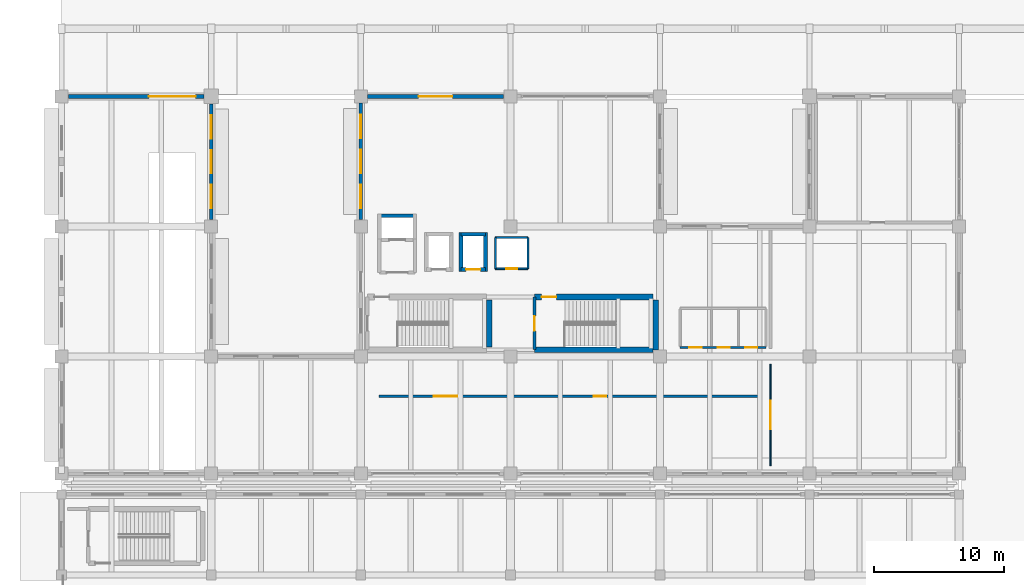
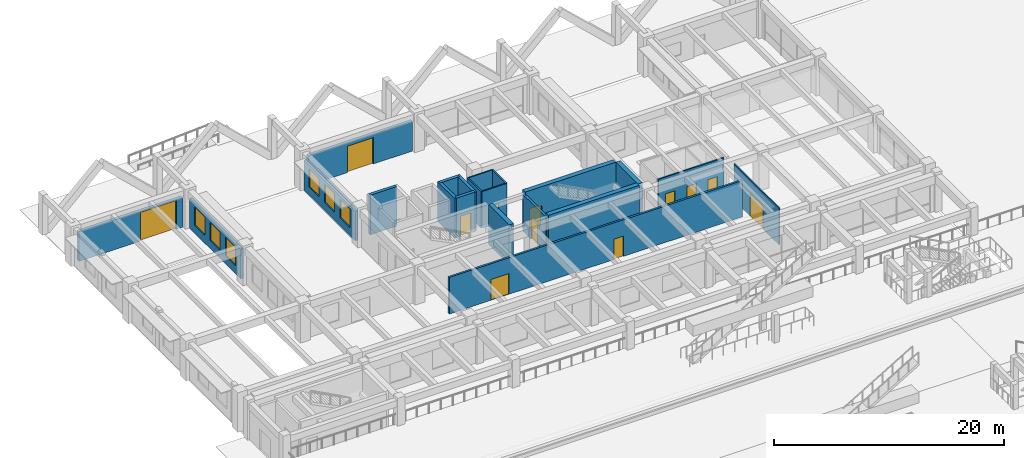
# One storey, part 83 of 109: 21 walls, 12 doors, 6 windows, 18 openings.
"""IFC4 building model written with IfcOpenShell, lengths in metres."""

import ifcopenshell
import ifcopenshell.guid

model = None  # the IFC model being written
_history = None  # IfcOwnerHistory: only IFC2X3 demands one
_inside = {}  # id of a spatial element -> (the spatial element, [elements in it])
_under = {}  # id of a project, library or spatial element -> (it, [spatial elements below it])
_declared = {}  # id of a project -> (the project, [libraries it declares])
_typed = {}  # id of a type object -> (the type object, [elements of that type])
_made_of = {}  # id of a material, layer set ... -> (it, [elements and type objects made of it])


def new_model(schema):
    """Start an empty IFC model of exactly this schema.

    Asked for "IFC4X3", IfcOpenShell would pick the latest addendum, in which some entities
    have other attributes; the version numbers below select the first issue.
    IFC2X3 requires an IfcOwnerHistory on every rooted entity: one is made here for all.
    """
    global model, _history
    if schema == "IFC4X3":
        model = ifcopenshell.file(schema_version=(4, 3, 0, 0))
    else:
        model = ifcopenshell.file(schema=schema)
    _inside.clear()
    _under.clear()
    _declared.clear()
    _typed.clear()
    _made_of.clear()
    _history = None
    if model.schema == "IFC2X3":
        org = make("IfcOrganization", Name="unknown")
        user = make(
            "IfcPersonAndOrganization",
            ThePerson=make("IfcPerson", FamilyName="unknown"),
            TheOrganization=org,
        )
        app = make(
            "IfcApplication",
            ApplicationDeveloper=org,
            Version="unknown",
            ApplicationFullName="unknown",
            ApplicationIdentifier="unknown",
        )
        _history = make(
            "IfcOwnerHistory",
            OwningUser=user,
            OwningApplication=app,
            ChangeAction="ADDED",
            CreationDate=0,
        )
    return model


def make(cls, **values):
    """One entity of the class cls with the attributes given. An attribute that is None is left unset."""
    return model.create_entity(
        cls, **{name: value for name, value in values.items() if value is not None}
    )


def rooted(cls, **values):
    """An entity with a GlobalId (a new one), such as an element, a storey or a relation."""
    return make(cls, GlobalId=ifcopenshell.guid.new(), OwnerHistory=_history, **values)


def si_unit(unit_type, name, prefix=None):
    """IfcSIUnit, for example si_unit("LENGTHUNIT", "METRE", prefix="MILLI")."""
    return make("IfcSIUnit", UnitType=unit_type, Prefix=prefix, Name=name)


def assignment(units):
    """IfcUnitAssignment: the units of a project."""
    return None if units is None else make("IfcUnitAssignment", Units=units)


def point(xyz):
    """IfcCartesianPoint."""
    return None if xyz is None else make("IfcCartesianPoint", Coordinates=xyz)


def direction(xyz):
    """IfcDirection."""
    return None if xyz is None else make("IfcDirection", DirectionRatios=xyz)


def frame(location, z_axis=None, x_axis=None):
    """IfcAxis2Placement3D, a coordinate frame: its origin and axes. An axis left out is left unset."""
    return make(
        "IfcAxis2Placement3D",
        Location=point(location),
        Axis=direction(z_axis),
        RefDirection=direction(x_axis),
    )


def frame_2d(location, x_axis=None):
    """IfcAxis2Placement2D, a coordinate frame in the plane: its origin and x axis."""
    return make(
        "IfcAxis2Placement2D", Location=point(location), RefDirection=direction(x_axis)
    )


def origin():
    """The frame at (0, 0, 0) with its axes left unset."""
    return frame((0.0, 0.0, 0.0))


def place(relative_to, where):
    """IfcLocalPlacement: puts the frame where relative to a parent placement (None: the world)."""
    return make(
        "IfcLocalPlacement", PlacementRelTo=relative_to, RelativePlacement=where
    )


def context(
    kind, dimensions, precision=None, world=None, true_north=None, identifier=None
):
    """IfcGeometricRepresentationContext, for example the 3D "Model" context."""
    return make(
        "IfcGeometricRepresentationContext",
        ContextIdentifier=identifier,
        ContextType=kind,
        CoordinateSpaceDimension=dimensions,
        Precision=precision,
        WorldCoordinateSystem=world,
        TrueNorth=true_north,
    )


def subcontext(parent, identifier, kind, view, scale=None):
    """IfcGeometricRepresentationSubContext, for example "Body" below "Model"."""
    return make(
        "IfcGeometricRepresentationSubContext",
        ContextIdentifier=identifier,
        ContextType=kind,
        ParentContext=parent,
        TargetScale=scale,
        TargetView=view,
    )


def project(units=None, contexts=None):
    """IfcProject with its units and contexts."""
    return rooted(
        "IfcProject",
        Name="project",
        RepresentationContexts=contexts,
        UnitsInContext=assignment(units),
    )


def spatial(cls, under=None, at=None, **own):
    """A site, building, storey or space (cls), placed at a placement, below another one or the project."""
    s = rooted(cls, ObjectPlacement=at, **own)
    if under is not None:
        _under.setdefault(under.id(), (under, []))[1].append(s)
    return s


def profile(cls, at=None, kind="AREA", **sizes):
    """A parametric profile (cls). Its sizes go by their IFC names, for example OverallWidth=200.0."""
    return make(cls, ProfileType=kind, Position=at, **sizes)


def rectangle(**sizes):
    """IfcRectangleProfileDef."""
    return profile("IfcRectangleProfileDef", **sizes)


def extrude(swept, where, along, depth):
    """IfcExtrudedAreaSolid: the profile swept, set in the frame where, extruded along a direction by depth."""
    return make(
        "IfcExtrudedAreaSolid",
        SweptArea=swept,
        Position=where,
        ExtrudedDirection=direction(along),
        Depth=depth,
    )


def shape(context_of_items, identifier, shape_type, items):
    """IfcShapeRepresentation: the items that make up one representation, for example the "Body"."""
    return make(
        "IfcShapeRepresentation",
        ContextOfItems=context_of_items,
        RepresentationIdentifier=identifier,
        RepresentationType=shape_type,
        Items=items,
    )


def material(Name=None, Category=None):
    """IfcMaterial."""
    return make("IfcMaterial", Name=Name, Category=Category)


def layer(
    of_material, thickness, ventilated=None, Name=None, Category=None, Priority=None
):
    """IfcMaterialLayer: one layer of a wall or slab, of a material (None: an air gap)."""
    return make(
        "IfcMaterialLayer",
        Material=of_material,
        LayerThickness=thickness,
        IsVentilated=ventilated,
        Name=Name,
        Category=Category,
        Priority=Priority,
    )


def layer_set(layers, Name=None):
    """IfcMaterialLayerSet."""
    return make("IfcMaterialLayerSet", MaterialLayers=layers, LayerSetName=Name)


def made_of(thing, what):
    """Note that an element or type object is made of a material, layer set ...; save() writes the relation."""
    if what is not None:
        _made_of.setdefault(what.id(), (what, []))[1].append(thing)
    return thing


def type_object(cls, material=None, **own):
    """A type object (cls), such as IfcWallType, which elements share."""
    return made_of(rooted(cls, **own), material)


def element(
    cls,
    number,
    at=None,
    inside=None,
    cuts=None,
    type_object=None,
    material=None,
    context=None,
    identifier="Body",
    shape_type=None,
    held_by="IfcProductDefinitionShape",
    body=None,
    shapes=None,
    **own,
):
    """One element of the class cls, such as IfcWall. Its Tag is "e" and its number.

    at: its placement. inside: the storey or other place that contains it. cuts: it is an
    opening in that element (IfcRelVoidsElement). A single representation is given by context,
    identifier, shape_type and body (its items); several are given by shapes. held_by: the class
    of the entity that holds the representations. save() writes the other relations.
    """
    e = rooted(cls, Tag="e%d" % number, ObjectPlacement=at, **own)
    if body is not None:
        shapes = [shape(context, identifier, shape_type, body)]
    if shapes is not None:
        e.Representation = make(held_by, Representations=shapes)
    if inside is not None:
        _inside.setdefault(inside.id(), (inside, []))[1].append(e)
    if cuts is not None:
        rooted(
            "IfcRelVoidsElement", RelatingBuildingElement=cuts, RelatedOpeningElement=e
        )
    if type_object is not None:
        _typed.setdefault(type_object.id(), (type_object, []))[1].append(e)
    return made_of(e, material)


def fill(opening, filler):
    """IfcRelFillsElement: the door or window that sits in an opening."""
    return rooted(
        "IfcRelFillsElement",
        RelatingOpeningElement=opening,
        RelatedBuildingElement=filler,
    )


def aggregate(whole, parts):
    """IfcRelAggregates: a whole, such as a stair, and the parts it consists of."""
    return rooted("IfcRelAggregates", RelatingObject=whole, RelatedObjects=parts)


def save(model, path):
    """Write the relations noted so far, then the file.

    IfcRelAggregates (storeys below a building ...), IfcRelContainedInSpatialStructure (elements
    in a storey), IfcRelDefinesByType, IfcRelAssociatesMaterial and IfcRelDeclares: one each for
    every whole, place, type object, material and project.
    """
    for whole, parts in _under.values():
        aggregate(whole, parts)
    for where, things in _inside.values():
        rooted(
            "IfcRelContainedInSpatialStructure",
            RelatedElements=things,
            RelatingStructure=where,
        )
    for kind, things in _typed.values():
        rooted("IfcRelDefinesByType", RelatedObjects=things, RelatingType=kind)
    for what, things in _made_of.values():
        rooted("IfcRelAssociatesMaterial", RelatedObjects=things, RelatingMaterial=what)
    for by, libraries in _declared.values():
        rooted("IfcRelDeclares", RelatingContext=by, RelatedDefinitions=libraries)
    model.write(path)


model = new_model("IFC4")

# Units and contexts
model_context = context("Model", 3, precision=1e-05, world=origin(), true_north=direction((0.0, 1.0)))
body_context = subcontext(model_context, "Body", "Model", "MODEL_VIEW")
ifc_project = project(units=[si_unit("LENGTHUNIT", "METRE"), si_unit("AREAUNIT", "SQUARE_METRE"), si_unit("VOLUMEUNIT", "CUBIC_METRE"), si_unit("PLANEANGLEUNIT", "RADIAN"), si_unit("MASSUNIT", "GRAM", prefix="KILO")], contexts=[model_context])

# Site, building, storey
site_placement = place(None, origin())
site = spatial("IfcSite", under=ifc_project, at=site_placement, CompositionType="ELEMENT")
building_placement = place(site_placement, origin())
building = spatial("IfcBuilding", under=site, at=building_placement, Name="Ologun Quay Terminus", CompositionType="ELEMENT")
storey_placement = place(building_placement, origin())
storey = spatial("IfcBuildingStorey", under=building, at=storey_placement, Name="L00", CompositionType="ELEMENT", Elevation=0.0)

# Wall, openings, doors
ifc_material_1 = material(Name="Concrete C40/50", Category="concrete")
ifc_layer_1 = layer(ifc_material_1, 0.199951171875)
ifc_layer_set_1 = layer_set([ifc_layer_1], Name="Concrete C40/50")
wall_type_1 = type_object("IfcWallType", Name="Corridor Fire-Rated Partition 200", PredefinedType="PARTITIONING", material=ifc_layer_set_1)
wall_1_placement = place(storey_placement, frame((24.39990234375, 91.75, 0.0), z_axis=(0.0, 0.0, 1.0), x_axis=(1.0, 0.0, 0.0)))
wall_1 = element("IfcWall", 1, at=wall_1_placement, inside=storey, type_object=wall_type_1, Name="PW-02 Partition WCor-S", PredefinedType="PARTITIONING", context=body_context, shape_type="SweptSolid", body=[
    extrude(rectangle(XDim=29.400146484375, YDim=0.199951171875, at=frame_2d((14.7001953125, 0.0))), origin(), (0.0, 0.0, 1.0), 3.8798828125),
])
opening_1_placement = place(wall_1_placement, frame((4.199951171875, 0.0, 0.0)))
opening_1 = element("IfcOpeningElement", 2, at=opening_1_placement, cuts=wall_1, Name="Opening ID-097", PredefinedType="OPENING", context=body_context, shape_type="SweptSolid", body=[
    extrude(rectangle(XDim=1.800048828125, YDim=2.199951171875, at=frame_2d((0.89990234375, 1.10009765625))), frame((0.0, 0.10986328125, 0.0), z_axis=(0.0, -1.0, 0.0), x_axis=(1.0, 0.0, 0.0)), (0.0, 0.0, 1.0), 0.219970703125),
])
opening_2_placement = place(wall_1_placement, frame((16.5, 0.0, 0.0)))
opening_2 = element("IfcOpeningElement", 3, at=opening_2_placement, cuts=wall_1, Name="Opening ID-098", PredefinedType="OPENING", context=body_context, shape_type="SweptSolid", body=[
    extrude(rectangle(XDim=0.97998046875, YDim=2.14990234375, at=frame_2d((0.489990234375, 1.074951171875))), frame((0.0, 0.10986328125, 0.0), z_axis=(0.0, -1.0, 0.0), x_axis=(1.0, 0.0, 0.0)), (0.0, 0.0, 1.0), 0.219970703125),
])
ifc_material_2 = material(Name="Steel S355", Category="steel")
door_type_1 = type_object("IfcDoorType", Name="Corridor Compartment Pair 1800x2200", OperationType="DOUBLE_DOOR_SINGLE_SWING", PredefinedType="DOOR", material=ifc_material_2)
door_1_placement = place(opening_1_placement, origin())
door_1 = element("IfcDoor", 4, at=door_1_placement, inside=storey, type_object=door_type_1, Name="FD-03 Door ID-097", OperationType="DOUBLE_DOOR_SINGLE_SWING", OverallHeight=2.199951171875, OverallWidth=1.800048828125, PredefinedType="DOOR", context=body_context, shape_type="SweptSolid", body=[
    extrude(rectangle(XDim=1.800048828125, YDim=2.199951171875, at=frame_2d((0.89990234375, 1.10009765625))), frame((0.0, 0.02490234375, 0.0), z_axis=(0.0, -1.0, 0.0), x_axis=(1.0, 0.0, 0.0)), (0.0, 0.0, 1.0), 0.050048828125),
])
fill(opening_1, door_1)
ifc_material_3 = material(Name="Timber Hardwood", Category="wood")
door_type_2 = type_object("IfcDoorType", Name="Operations Room Acoustic Leaf 980x2150", OperationType="SINGLE_SWING_LEFT", PredefinedType="DOOR", material=ifc_material_3)
door_2_placement = place(opening_2_placement, origin())
door_2 = element("IfcDoor", 5, at=door_2_placement, inside=storey, type_object=door_type_2, Name="ID-01 Door ID-098", OperationType="SINGLE_SWING_LEFT", OverallHeight=2.14990234375, OverallWidth=0.97998046875, PredefinedType="DOOR", context=body_context, shape_type="SweptSolid", body=[
    extrude(rectangle(XDim=0.97998046875, YDim=2.14990234375, at=frame_2d((0.489990234375, 1.074951171875))), frame((0.0, 0.02490234375, 0.0), z_axis=(0.0, -1.0, 0.0), x_axis=(1.0, 0.0, 0.0)), (0.0, 0.0, 1.0), 0.050048828125),
])
fill(opening_2, door_2)

# Walls
ifc_material_4 = material(Name="Concrete C45/55", Category="concrete")
ifc_layer_2 = layer(ifc_material_4, 0.449951171875)
ifc_layer_set_2 = layer_set([ifc_layer_2], Name="Concrete C45/55")
wall_type_2 = type_object("IfcWallType", Name="Coupled Wing Primary Core Shear Wall 450", PredefinedType="SHEAR", material=ifc_layer_set_2)
wall_2_placement = place(storey_placement, frame((32.875, 95.550048828125, 0.0), z_axis=(0.0, 0.0, 1.0), x_axis=(0.0, 1.0, 0.0)))
element("IfcWall", 6, at=wall_2_placement, inside=storey, type_object=wall_type_2, Name="WC1 Core East Shear Wall L00", PredefinedType="SHEAR", context=body_context, shape_type="SweptSolid", body=[
    extrude(rectangle(XDim=3.599853515625, YDim=0.449951171875, at=frame_2d((1.7998046875, 0.0))), origin(), (0.0, 0.0, 1.0), 4.199951171875),
])
wall_3_placement = place(storey_placement, frame((36.35009765625, 95.324951171875, 0.0), z_axis=(0.0, 0.0, 1.0), x_axis=(1.0, 0.0, 0.0)))
element("IfcWall", 7, at=wall_3_placement, inside=storey, type_object=wall_type_2, Name="WC2 Core South Shear Wall L00", PredefinedType="SHEAR", context=body_context, shape_type="SweptSolid", body=[
    extrude(rectangle(XDim=9.099853515625, YDim=0.449951171875, at=frame_2d((4.5498046875, 0.0))), origin(), (0.0, 0.0, 1.0), 4.199951171875),
])

# Wall, opening, door
wall_4_placement = place(storey_placement, frame((36.35009765625, 99.375, 0.0), z_axis=(0.0, 0.0, 1.0), x_axis=(1.0, 0.0, 0.0)))
wall_4 = element("IfcWall", 8, at=wall_4_placement, inside=storey, type_object=wall_type_2, Name="WC2 Core North Shear Wall L00", PredefinedType="SHEAR", context=body_context, shape_type="SweptSolid", body=[
    extrude(rectangle(XDim=9.099853515625, YDim=0.449951171875, at=frame_2d((4.5498046875, 0.0))), origin(), (0.0, 0.0, 1.0), 4.199951171875),
])
opening_3_placement = place(wall_4_placement, frame((0.550048828125, 0.0, 0.0)))
opening_3 = element("IfcOpeningElement", 9, at=opening_3_placement, cuts=wall_4, Name="Opening ID-091", PredefinedType="OPENING", context=body_context, shape_type="SweptSolid", body=[
    extrude(rectangle(XDim=1.1298828125, YDim=2.14990234375, at=frame_2d((0.56494140625, 1.074951171875))), frame((0.0, 0.23486328125, 0.0), z_axis=(0.0, -1.0, 0.0), x_axis=(1.0, 0.0, 0.0)), (0.0, 0.0, 1.0), 0.469970703125),
])
ifc_material_5 = material(Name="Steel S355", Category="steel")
door_type_3 = type_object("IfcDoorType", Name="Stairwell Fire Escape Door 1130x2150", OperationType="SINGLE_SWING_LEFT", PredefinedType="DOOR", material=ifc_material_5)
door_3_placement = place(opening_3_placement, origin())
door_3 = element("IfcDoor", 10, at=door_3_placement, inside=storey, type_object=door_type_3, Name="FD-01 Door ID-091", OperationType="SINGLE_SWING_LEFT", OverallHeight=2.14990234375, OverallWidth=1.1298828125, PredefinedType="DOOR", context=body_context, shape_type="SweptSolid", body=[
    extrude(rectangle(XDim=1.1298828125, YDim=2.14990234375, at=frame_2d((0.56494140625, 1.074951171875))), frame((0.0, 0.02490234375, 0.0), z_axis=(0.0, -1.0, 0.0), x_axis=(1.0, 0.0, 0.0)), (0.0, 0.0, 1.0), 0.050048828125),
])
fill(opening_3, door_3)

# Wall
wall_5_placement = place(storey_placement, frame((45.675048828125, 95.320068359375, 0.0), z_axis=(0.0, 0.0, 1.0), x_axis=(0.0, 1.0, 0.0)))
element("IfcWall", 11, at=wall_5_placement, inside=storey, type_object=wall_type_2, Name="WC2 Core East Shear Wall L00", PredefinedType="SHEAR", context=body_context, shape_type="SweptSolid", body=[
    extrude(rectangle(XDim=3.829833984375, YDim=0.449951171875, at=frame_2d((1.9150390625, 0.0))), origin(), (0.0, 0.0, 1.0), 4.199951171875),
])

# Wall, openings, windows
ifc_material_6 = material(Name="Concrete C40/50", Category="concrete")
ifc_layer_3 = layer(ifc_material_6, 0.280029296875)
ifc_layer_set_3 = layer_set([ifc_layer_3], Name="Concrete C40/50")
wall_type_3 = type_object("IfcWallType", Name="Courtyard Wing Spandrel Concrete Wall 280", PredefinedType="SOLIDWALL", material=ifc_layer_set_3)
wall_6_placement = place(storey_placement, frame((23.0, 105.320068359375, 0.0), z_axis=(0.0, 0.0, 1.0), x_axis=(0.0, 1.0, 0.0)))
wall_6 = element("IfcWall", 12, at=wall_6_placement, inside=storey, type_object=wall_type_3, Name="EW-02 Facade Wall WEW-WW-O-L00-17", PredefinedType="SOLIDWALL", context=body_context, shape_type="SweptSolid", body=[
    extrude(rectangle(XDim=8.9599609375, YDim=0.280029296875, at=frame_2d((4.47998046875, 0.0))), origin(), (0.0, 0.0, 1.0), 3.14990234375),
])
opening_4_placement = place(wall_6_placement, frame((0.889892578125, 0.0, 0.85009765625)))
opening_4 = element("IfcOpeningElement", 13, at=opening_4_placement, cuts=wall_6, Name="Opening WN-175", PredefinedType="OPENING", context=body_context, shape_type="SweptSolid", body=[
    extrude(rectangle(XDim=1.800048828125, YDim=1.949951171875, at=frame_2d((0.89990234375, 0.97509765625))), frame((0.0, 0.14990234375, 0.0), z_axis=(0.0, -1.0, 0.0), x_axis=(1.0, 0.0, 0.0)), (0.0, 0.0, 1.0), 0.300048828125),
])
opening_5_placement = place(wall_6_placement, frame((3.580078125, 0.0, 0.85009765625)))
opening_5 = element("IfcOpeningElement", 14, at=opening_5_placement, cuts=wall_6, Name="Opening WN-176", PredefinedType="OPENING", context=body_context, shape_type="SweptSolid", body=[
    extrude(rectangle(XDim=1.800048828125, YDim=1.949951171875, at=frame_2d((0.89990234375, 0.97509765625))), frame((0.0, 0.14990234375, 0.0), z_axis=(0.0, -1.0, 0.0), x_axis=(1.0, 0.0, 0.0)), (0.0, 0.0, 1.0), 0.300048828125),
])
opening_6_placement = place(wall_6_placement, frame((6.27001953125, 0.0, 0.85009765625)))
opening_6 = element("IfcOpeningElement", 15, at=opening_6_placement, cuts=wall_6, Name="Opening WN-177", PredefinedType="OPENING", context=body_context, shape_type="SweptSolid", body=[
    extrude(rectangle(XDim=1.800048828125, YDim=1.949951171875, at=frame_2d((0.89990234375, 0.97509765625))), frame((0.0, 0.14990234375, 0.0), z_axis=(0.0, -1.0, 0.0), x_axis=(1.0, 0.0, 0.0)), (0.0, 0.0, 1.0), 0.300048828125),
])
ifc_material_7 = material(Name="Glass", Category="glass")
window_type = type_object("IfcWindowType", Name="Waterfront Pavilion Module Window 1800x1950", PartitioningType="SINGLE_PANEL", PredefinedType="WINDOW", material=ifc_material_7)
window_1_placement = place(opening_4_placement, origin())
window_1 = element("IfcWindow", 16, at=window_1_placement, inside=storey, type_object=window_type, Name="W-11 Window WN-175", OverallHeight=1.949951171875, OverallWidth=1.800048828125, PartitioningType="SINGLE_PANEL", PredefinedType="WINDOW", context=body_context, shape_type="SweptSolid", body=[
    extrude(rectangle(XDim=1.800048828125, YDim=1.949951171875, at=frame_2d((0.89990234375, 0.97509765625))), frame((0.0, 0.030029296875, 0.0), z_axis=(0.0, -1.0, 0.0), x_axis=(1.0, 0.0, 0.0)), (0.0, 0.0, 1.0), 0.06005859375),
])
fill(opening_4, window_1)
window_2_placement = place(opening_5_placement, origin())
window_2 = element("IfcWindow", 17, at=window_2_placement, inside=storey, type_object=window_type, Name="W-11 Window WN-176", OverallHeight=1.949951171875, OverallWidth=1.800048828125, PartitioningType="SINGLE_PANEL", PredefinedType="WINDOW", context=body_context, shape_type="SweptSolid", body=[
    extrude(rectangle(XDim=1.800048828125, YDim=1.949951171875, at=frame_2d((0.89990234375, 0.97509765625))), frame((0.0, 0.030029296875, 0.0), z_axis=(0.0, -1.0, 0.0), x_axis=(1.0, 0.0, 0.0)), (0.0, 0.0, 1.0), 0.06005859375),
])
fill(opening_5, window_2)
window_3_placement = place(opening_6_placement, origin())
window_3 = element("IfcWindow", 18, at=window_3_placement, inside=storey, type_object=window_type, Name="W-11 Window WN-177", OverallHeight=1.949951171875, OverallWidth=1.800048828125, PartitioningType="SINGLE_PANEL", PredefinedType="WINDOW", context=body_context, shape_type="SweptSolid", body=[
    extrude(rectangle(XDim=1.800048828125, YDim=1.949951171875, at=frame_2d((0.89990234375, 0.97509765625))), frame((0.0, 0.030029296875, 0.0), z_axis=(0.0, -1.0, 0.0), x_axis=(1.0, 0.0, 0.0)), (0.0, 0.0, 1.0), 0.06005859375),
])
fill(opening_6, window_3)

wall_7_placement = place(storey_placement, frame((11.5, 105.320068359375, 0.0), z_axis=(0.0, 0.0, 1.0), x_axis=(0.0, 1.0, 0.0)))
wall_7 = element("IfcWall", 19, at=wall_7_placement, inside=storey, type_object=wall_type_3, Name="EW-02 Facade Wall WEW-WW-O-L00-20", PredefinedType="SOLIDWALL", context=body_context, shape_type="SweptSolid", body=[
    extrude(rectangle(XDim=8.909912109375, YDim=0.280029296875, at=frame_2d((4.455078125, 0.0))), origin(), (0.0, 0.0, 1.0), 3.14990234375),
])
opening_7_placement = place(wall_7_placement, frame((0.87744140625, 0.0, 0.85009765625)))
opening_7 = element("IfcOpeningElement", 20, at=opening_7_placement, cuts=wall_7, Name="Opening WN-182", PredefinedType="OPENING", context=body_context, shape_type="SweptSolid", body=[
    extrude(rectangle(XDim=1.800048828125, YDim=1.949951171875, at=frame_2d((0.89990234375, 0.97509765625))), frame((0.0, 0.14990234375, 0.0), z_axis=(0.0, -1.0, 0.0), x_axis=(1.0, 0.0, 0.0)), (0.0, 0.0, 1.0), 0.300048828125),
])
opening_8_placement = place(wall_7_placement, frame((3.554931640625, 0.0, 0.85009765625)))
opening_8 = element("IfcOpeningElement", 21, at=opening_8_placement, cuts=wall_7, Name="Opening WN-183", PredefinedType="OPENING", context=body_context, shape_type="SweptSolid", body=[
    extrude(rectangle(XDim=1.800048828125, YDim=1.949951171875, at=frame_2d((0.89990234375, 0.97509765625))), frame((0.0, 0.14990234375, 0.0), z_axis=(0.0, -1.0, 0.0), x_axis=(1.0, 0.0, 0.0)), (0.0, 0.0, 1.0), 0.300048828125),
])
opening_9_placement = place(wall_7_placement, frame((6.232421875, 0.0, 0.85009765625)))
opening_9 = element("IfcOpeningElement", 22, at=opening_9_placement, cuts=wall_7, Name="Opening WN-184", PredefinedType="OPENING", context=body_context, shape_type="SweptSolid", body=[
    extrude(rectangle(XDim=1.800048828125, YDim=1.949951171875, at=frame_2d((0.89990234375, 0.97509765625))), frame((0.0, 0.14990234375, 0.0), z_axis=(0.0, -1.0, 0.0), x_axis=(1.0, 0.0, 0.0)), (0.0, 0.0, 1.0), 0.300048828125),
])
window_4_placement = place(opening_7_placement, origin())
window_4 = element("IfcWindow", 23, at=window_4_placement, inside=storey, type_object=window_type, Name="W-11 Window WN-182", OverallHeight=1.949951171875, OverallWidth=1.800048828125, PartitioningType="SINGLE_PANEL", PredefinedType="WINDOW", context=body_context, shape_type="SweptSolid", body=[
    extrude(rectangle(XDim=1.800048828125, YDim=1.949951171875, at=frame_2d((0.89990234375, 0.97509765625))), frame((0.0, 0.030029296875, 0.0), z_axis=(0.0, -1.0, 0.0), x_axis=(1.0, 0.0, 0.0)), (0.0, 0.0, 1.0), 0.06005859375),
])
fill(opening_7, window_4)
window_5_placement = place(opening_8_placement, origin())
window_5 = element("IfcWindow", 24, at=window_5_placement, inside=storey, type_object=window_type, Name="W-11 Window WN-183", OverallHeight=1.949951171875, OverallWidth=1.800048828125, PartitioningType="SINGLE_PANEL", PredefinedType="WINDOW", context=body_context, shape_type="SweptSolid", body=[
    extrude(rectangle(XDim=1.800048828125, YDim=1.949951171875, at=frame_2d((0.89990234375, 0.97509765625))), frame((0.0, 0.030029296875, 0.0), z_axis=(0.0, -1.0, 0.0), x_axis=(1.0, 0.0, 0.0)), (0.0, 0.0, 1.0), 0.06005859375),
])
fill(opening_8, window_5)
window_6_placement = place(opening_9_placement, origin())
window_6 = element("IfcWindow", 25, at=window_6_placement, inside=storey, type_object=window_type, Name="W-11 Window WN-184", OverallHeight=1.949951171875, OverallWidth=1.800048828125, PartitioningType="SINGLE_PANEL", PredefinedType="WINDOW", context=body_context, shape_type="SweptSolid", body=[
    extrude(rectangle(XDim=1.800048828125, YDim=1.949951171875, at=frame_2d((0.89990234375, 0.97509765625))), frame((0.0, 0.030029296875, 0.0), z_axis=(0.0, -1.0, 0.0), x_axis=(1.0, 0.0, 0.0)), (0.0, 0.0, 1.0), 0.06005859375),
])
fill(opening_9, window_6)

# Wall, opening, door
ifc_material_8 = material(Name="Concrete C40/50", Category="concrete")
ifc_layer_4 = layer(ifc_material_8, 0.239990234375)
ifc_layer_set_4 = layer_set([ifc_layer_4], Name="Concrete C40/50")
wall_type_4 = type_object("IfcWallType", Name="Fire Compartment Blockwork Wall 240", PredefinedType="SOLIDWALL", material=ifc_layer_set_4)
wall_8_placement = place(storey_placement, frame((36.35009765625, 95.330078125, 0.0), z_axis=(0.0, 0.0, 1.0), x_axis=(0.0, 1.0, 0.0)))
wall_8 = element("IfcWall", 26, at=wall_8_placement, inside=storey, type_object=wall_type_4, Name="PW-01 Partition WStair2-W", PredefinedType="SOLIDWALL", context=body_context, shape_type="SweptSolid", body=[
    extrude(rectangle(XDim=4.0400390625, YDim=0.239990234375, at=frame_2d((2.02001953125, 0.0))), origin(), (0.0, 0.0, 1.0), 3.8798828125),
])
opening_10_placement = place(wall_8_placement, frame((1.449951171875, 0.0, 0.0)))
opening_10 = element("IfcOpeningElement", 27, at=opening_10_placement, cuts=wall_8, Name="Opening ID-090", PredefinedType="OPENING", context=body_context, shape_type="SweptSolid", body=[
    extrude(rectangle(XDim=1.1298828125, YDim=2.14990234375, at=frame_2d((0.56494140625, 1.074951171875))), frame((0.0, 0.1298828125, 0.0), z_axis=(0.0, -1.0, 0.0), x_axis=(1.0, 0.0, 0.0)), (0.0, 0.0, 1.0), 0.260009765625),
])
door_4_placement = place(opening_10_placement, origin())
door_4 = element("IfcDoor", 28, at=door_4_placement, inside=storey, type_object=door_type_3, Name="FD-01 Door ID-090", OperationType="SINGLE_SWING_LEFT", OverallHeight=2.14990234375, OverallWidth=1.1298828125, PredefinedType="DOOR", context=body_context, shape_type="SweptSolid", body=[
    extrude(rectangle(XDim=1.1298828125, YDim=2.14990234375, at=frame_2d((0.56494140625, 1.074951171875))), frame((0.0, 0.02490234375, 0.0), z_axis=(0.0, -1.0, 0.0), x_axis=(1.0, 0.0, 0.0)), (0.0, 0.0, 1.0), 0.050048828125),
])
fill(opening_10, door_4)

# Wall
ifc_material_9 = material(Name="Concrete C40/50", Category="concrete")
ifc_layer_5 = layer(ifc_material_9, 0.300048828125)
ifc_layer_set_5 = layer_set([ifc_layer_5], Name="Concrete C40/50")
wall_type_5 = type_object("IfcWallType", Name="Lift Shaft Structural Shear Wall 300", PredefinedType="SHEAR", material=ifc_layer_set_5)
wall_9_placement = place(storey_placement, frame((24.449951171875, 105.6201171875, 0.0), z_axis=(0.0, 0.0, 1.0), x_axis=(1.0, 0.0, 0.0)))
element("IfcWall", 29, at=wall_9_placement, inside=storey, type_object=wall_type_5, Name="Lift FFL-01 Shaft Wall N L00", PredefinedType="SHEAR", context=body_context, shape_type="SweptSolid", body=[
    extrude(rectangle(XDim=2.699951171875, YDim=0.300048828125, at=frame_2d((1.35009765625, 0.0))), origin(), (0.0, 0.0, 1.0), 4.199951171875),
])

# Wall, opening, door
wall_10_placement = place(storey_placement, frame((30.699951171875, 101.5, 0.0), z_axis=(0.0, 0.0, 1.0), x_axis=(1.0, 0.0, 0.0)))
wall_10 = element("IfcWall", 30, at=wall_10_placement, inside=storey, type_object=wall_type_5, Name="Lift PL-W2 Shaft Wall S L00", PredefinedType="SHEAR", context=body_context, shape_type="SweptSolid", body=[
    extrude(rectangle(XDim=1.900146484375, YDim=0.300048828125, at=frame_2d((0.9501953125, 0.0))), origin(), (0.0, 0.0, 1.0), 4.199951171875),
])
opening_11_placement = place(wall_10_placement, frame((0.39990234375, 0.0, 0.0)))
opening_11 = element("IfcOpeningElement", 31, at=opening_11_placement, cuts=wall_10, Name="Opening ID-025", PredefinedType="OPENING", context=body_context, shape_type="SweptSolid", body=[
    extrude(rectangle(XDim=1.10009765625, YDim=2.14990234375, at=frame_2d((0.550048828125, 1.074951171875))), frame((0.0, 0.16015625, 0.0), z_axis=(0.0, -1.0, 0.0), x_axis=(1.0, 0.0, 0.0)), (0.0, 0.0, 1.0), 0.320068359375),
])
ifc_material_10 = material(Name="Steel S355", Category="steel")
door_type_4 = type_object("IfcDoorType", Name="Lift Landing Sliding Door 1100x2150", OperationType="SLIDING_TO_LEFT", PredefinedType="DOOR", material=ifc_material_10)
door_5_placement = place(opening_11_placement, origin())
door_5 = element("IfcDoor", 32, at=door_5_placement, inside=storey, type_object=door_type_4, Name="LD-01 Door ID-025", OperationType="SLIDING_TO_LEFT", OverallHeight=2.14990234375, OverallWidth=1.10009765625, PredefinedType="DOOR", context=body_context, shape_type="SweptSolid", body=[
    extrude(rectangle(XDim=1.10009765625, YDim=2.14990234375, at=frame_2d((0.550048828125, 1.074951171875))), frame((0.0, 0.02490234375, 0.0), z_axis=(0.0, -1.0, 0.0), x_axis=(1.0, 0.0, 0.0)), (0.0, 0.0, 1.0), 0.050048828125),
])
fill(opening_11, door_5)

# Walls
wall_11_placement = place(storey_placement, frame((30.699951171875, 104.199951171875, 0.0), z_axis=(0.0, 0.0, 1.0), x_axis=(1.0, 0.0, 0.0)))
element("IfcWall", 33, at=wall_11_placement, inside=storey, type_object=wall_type_5, Name="Lift PL-W2 Shaft Wall N L00", PredefinedType="SHEAR", context=body_context, shape_type="SweptSolid", body=[
    extrude(rectangle(XDim=1.900146484375, YDim=0.300048828125, at=frame_2d((0.9501953125, 0.0))), origin(), (0.0, 0.0, 1.0), 4.199951171875),
])
for number, where, z_axis, x_axis, name in (
    (34, (30.699951171875, 101.35009765625, 0.0), (0.0, 0.0, 1.0), (0.0, 1.0, 0.0), "Lift PL-W2 Shaft Wall W L00"),
    (35, (32.60009765625, 101.35009765625, 0.0), (0.0, 0.0, 1.0), (0.0, 1.0, 0.0), "Lift PL-W2 Shaft Wall E L00"),
):
    element("IfcWall", number, at=place(storey_placement, frame(where, z_axis=z_axis, x_axis=x_axis)), inside=storey, type_object=wall_type_5, Name=name, PredefinedType="SHEAR", context=body_context, shape_type="SweptSolid", body=[
        extrude(rectangle(XDim=3.0, YDim=0.300048828125, at=frame_2d((1.5, 0.0))), origin(), (0.0, 0.0, 1.0), 4.199951171875),
    ])

# Wall, opening, door
ifc_material_11 = material(Name="Concrete C40/50", Category="concrete")
ifc_layer_6 = layer(ifc_material_11, 0.320068359375)
ifc_layer_set_6 = layer_set([ifc_layer_6], Name="Concrete C40/50")
wall_type_6 = type_object("IfcWallType", Name="Podium Sculpted Concrete Facade Wall 320", PredefinedType="SOLIDWALL", material=ifc_layer_set_6)
wall_12_placement = place(storey_placement, frame((23.52001953125, 114.800048828125, 0.0), z_axis=(0.0, 0.0, 1.0), x_axis=(1.0, 0.0, 0.0)))
wall_12 = element("IfcWall", 36, at=wall_12_placement, inside=storey, type_object=wall_type_6, Name="EW-01 Facade Wall WEW-WW-ENT-14", PredefinedType="SOLIDWALL", context=body_context, shape_type="SweptSolid", body=[
    extrude(rectangle(XDim=10.4599609375, YDim=0.320068359375, at=frame_2d((5.22998046875, 0.0))), origin(), (0.0, 0.0, 1.0), 3.14990234375),
])
opening_12_placement = place(wall_12_placement, frame((3.929931640625, 0.0, 0.0)))
opening_12 = element("IfcOpeningElement", 37, at=opening_12_placement, cuts=wall_12, Name="Opening ED-015", PredefinedType="OPENING", context=body_context, shape_type="SweptSolid", body=[
    extrude(rectangle(XDim=2.60009765625, YDim=2.800048828125, at=frame_2d((1.300048828125, 1.39990234375))), frame((0.0, 0.169921875, 0.0), z_axis=(0.0, -1.0, 0.0), x_axis=(1.0, 0.0, 0.0)), (0.0, 0.0, 1.0), 0.340087890625),
])
ifc_material_12 = material(Name="Glass", Category="glass")
door_type_5 = type_object("IfcDoorType", Name="Waterfront Pavilion Ceremonial Portal 2600x2800", OperationType="DOUBLE_DOOR_SINGLE_SWING", PredefinedType="DOOR", material=ifc_material_12)
door_6_placement = place(opening_12_placement, origin())
door_6 = element("IfcDoor", 38, at=door_6_placement, inside=storey, type_object=door_type_5, Name="D-03 Exterior Door ED-015", OperationType="DOUBLE_DOOR_SINGLE_SWING", OverallHeight=2.800048828125, OverallWidth=2.60009765625, PredefinedType="DOOR", context=body_context, shape_type="SweptSolid", body=[
    extrude(rectangle(XDim=2.60009765625, YDim=2.800048828125, at=frame_2d((1.300048828125, 1.39990234375))), frame((0.0, 0.02490234375, 0.0), z_axis=(0.0, -1.0, 0.0), x_axis=(1.0, 0.0, 0.0)), (0.0, 0.0, 1.0), 0.050048828125),
])
fill(opening_12, door_6)

wall_13_placement = place(storey_placement, frame((0.52001953125, 114.800048828125, 0.0), z_axis=(0.0, 0.0, 1.0), x_axis=(1.0, 0.0, 0.0)))
wall_13 = element("IfcWall", 39, at=wall_13_placement, inside=storey, type_object=wall_type_6, Name="EW-01 Vehicle Ramp Portal Wall L00", PredefinedType="SOLIDWALL", context=body_context, shape_type="SweptSolid", body=[
    extrude(rectangle(XDim=10.409912109375, YDim=0.320068359375, at=frame_2d((5.205078125, 0.0))), origin(), (0.0, 0.0, 1.0), 3.14990234375),
])
opening_13_placement = place(wall_13_placement, frame((6.179931640625, 0.0, 0.0)))
opening_13 = element("IfcOpeningElement", 40, at=opening_13_placement, cuts=wall_13, Name="Opening ED-018", PredefinedType="OPENING", context=body_context, shape_type="SweptSolid", body=[
    extrude(rectangle(XDim=3.60009765625, YDim=3.050048828125, at=frame_2d((1.800048828125, 1.52490234375))), frame((0.0, 0.169921875, 0.0), z_axis=(0.0, -1.0, 0.0), x_axis=(1.0, 0.0, 0.0)), (0.0, 0.0, 1.0), 0.340087890625),
])
ifc_material_13 = material(Name="Steel S355", Category="steel")
door_type_6 = type_object("IfcDoorType", Name="Basement Vehicle Ramp Motorised Gate 3600x3050", OperationType="ROLLINGUP", PredefinedType="GATE", material=ifc_material_13)
door_7_placement = place(opening_13_placement, origin())
door_7 = element("IfcDoor", 41, at=door_7_placement, inside=storey, type_object=door_type_6, Name="D-12 Exterior Door ED-018", OperationType="ROLLINGUP", OverallHeight=3.050048828125, OverallWidth=3.60009765625, PredefinedType="GATE", context=body_context, shape_type="SweptSolid", body=[
    extrude(rectangle(XDim=3.60009765625, YDim=3.050048828125, at=frame_2d((1.800048828125, 1.52490234375))), frame((0.0, 0.02490234375, 0.0), z_axis=(0.0, -1.0, 0.0), x_axis=(1.0, 0.0, 0.0)), (0.0, 0.0, 1.0), 0.050048828125),
])
fill(opening_13, door_7)

ifc_material_14 = material(Name="Concrete C40/50", Category="concrete")
ifc_layer_7 = layer(ifc_material_14, 0.1298828125)
ifc_layer_set_7 = layer_set([ifc_layer_7], Name="Concrete C40/50")
wall_type_7 = type_object("IfcWallType", Name="Riser & Service Duct Wall 130", PredefinedType="PLUMBINGWALL", material=ifc_layer_set_7)
wall_14_placement = place(storey_placement, frame((33.35009765625, 101.550048828125, 0.0), z_axis=(0.0, 0.0, 1.0), x_axis=(1.0, 0.0, 0.0)))
wall_14 = element("IfcWall", 42, at=wall_14_placement, inside=storey, type_object=wall_type_7, Name="PW-07 Partition WRiser-S", PredefinedType="PLUMBINGWALL", context=body_context, shape_type="SweptSolid", body=[
    extrude(rectangle(XDim=2.5, YDim=0.1298828125, at=frame_2d((1.25, 0.0))), origin(), (0.0, 0.0, 1.0), 3.8798828125),
])
opening_14_placement = place(wall_14_placement, frame((0.820068359375, 0.0, 0.0)))
opening_14 = element("IfcOpeningElement", 43, at=opening_14_placement, cuts=wall_14, Name="Opening ID-093", PredefinedType="OPENING", context=body_context, shape_type="SweptSolid", body=[
    extrude(rectangle(XDim=0.85009765625, YDim=2.0, at=frame_2d((0.425048828125, 1.0))), frame((0.0, 0.074951171875, 0.0), z_axis=(0.0, -1.0, 0.0), x_axis=(1.0, 0.0, 0.0)), (0.0, 0.0, 1.0), 0.14990234375),
])
ifc_material_15 = material(Name="Steel S355", Category="steel")
door_type_7 = type_object("IfcDoorType", Name="MEP Riser Access Trapdoor 850x2000", OperationType="SINGLE_SWING_LEFT", PredefinedType="TRAPDOOR", material=ifc_material_15)
door_8_placement = place(opening_14_placement, origin())
door_8 = element("IfcDoor", 44, at=door_8_placement, inside=storey, type_object=door_type_7, Name="RD-01 Door ID-093", OperationType="SINGLE_SWING_LEFT", OverallHeight=2.0, OverallWidth=0.85009765625, PredefinedType="TRAPDOOR", context=body_context, shape_type="SweptSolid", body=[
    extrude(rectangle(XDim=0.85009765625, YDim=2.0, at=frame_2d((0.425048828125, 1.0))), frame((0.0, 0.02490234375, 0.0), z_axis=(0.0, -1.0, 0.0), x_axis=(1.0, 0.0, 0.0)), (0.0, 0.0, 1.0), 0.050048828125),
])
fill(opening_14, door_8)

# Walls
for number, where, z_axis, x_axis, name in (
    (45, (33.35009765625, 101.550048828125, 0.0), (0.0, 0.0, 1.0), (0.0, 1.0, 0.0), "PW-07 Partition WRiser-W"),
    (46, (35.85009765625, 101.550048828125, 0.0), (0.0, 0.0, 1.0), (0.0, 1.0, 0.0), "PW-07 Partition WRiser-E"),
):
    element("IfcWall", number, at=place(storey_placement, frame(where, z_axis=z_axis, x_axis=x_axis)), inside=storey, type_object=wall_type_7, Name=name, PredefinedType="PLUMBINGWALL", context=body_context, shape_type="SweptSolid", body=[
        extrude(rectangle(XDim=2.39990234375, YDim=0.1298828125, at=frame_2d((1.199951171875, 0.0))), origin(), (0.0, 0.0, 1.0), 3.8798828125),
    ])
wall_15_placement = place(storey_placement, frame((33.35009765625, 103.949951171875, 0.0), z_axis=(0.0, 0.0, 1.0), x_axis=(1.0, 0.0, 0.0)))
element("IfcWall", 47, at=wall_15_placement, inside=storey, type_object=wall_type_7, Name="PW-07 Partition WRiser-N", PredefinedType="PLUMBINGWALL", context=body_context, shape_type="SweptSolid", body=[
    extrude(rectangle(XDim=2.5, YDim=0.1298828125, at=frame_2d((1.25, 0.0))), origin(), (0.0, 0.0, 1.0), 3.8798828125),
])

# Wall, openings, doors
ifc_material_16 = material(Name="Concrete C40/50", Category="concrete")
ifc_layer_8 = layer(ifc_material_16, 0.139892578125)
ifc_layer_set_8 = layer_set([ifc_layer_8], Name="Concrete C40/50")
wall_type_8 = type_object("IfcWallType", Name="Sanitary Wet-Area Blockwork Wall 140", PredefinedType="PLUMBINGWALL", material=ifc_layer_set_8)
wall_16_placement = place(storey_placement, frame((47.550048828125, 95.5, 0.0), z_axis=(0.0, 0.0, 1.0), x_axis=(1.0, 0.0, 0.0)))
wall_16 = element("IfcWall", 48, at=wall_16_placement, inside=storey, type_object=wall_type_8, Name="PW-06 Partition WWC-S", PredefinedType="PLUMBINGWALL", context=body_context, shape_type="SweptSolid", body=[
    extrude(rectangle(XDim=6.599853515625, YDim=0.139892578125, at=frame_2d((3.2998046875, 0.0))), origin(), (0.0, 0.0, 1.0), 3.8798828125),
])
opening_15_placement = place(wall_16_placement, frame((0.719970703125, 0.0, 0.0)))
opening_15 = element("IfcOpeningElement", 49, at=opening_15_placement, cuts=wall_16, Name="Opening ID-094", PredefinedType="OPENING", context=body_context, shape_type="SweptSolid", body=[
    extrude(rectangle(XDim=0.949951171875, YDim=2.10009765625, at=frame_2d((0.47509765625, 1.050048828125))), frame((0.0, 0.080078125, 0.0), z_axis=(0.0, -1.0, 0.0), x_axis=(1.0, 0.0, 0.0)), (0.0, 0.0, 1.0), 0.159912109375),
])
opening_16_placement = place(wall_16_placement, frame((2.89990234375, 0.0, 0.0)))
opening_16 = element("IfcOpeningElement", 50, at=opening_16_placement, cuts=wall_16, Name="Opening ID-095", PredefinedType="OPENING", context=body_context, shape_type="SweptSolid", body=[
    extrude(rectangle(XDim=0.919921875, YDim=2.10009765625, at=frame_2d((0.4599609375, 1.050048828125))), frame((0.0, 0.080078125, 0.0), z_axis=(0.0, -1.0, 0.0), x_axis=(1.0, 0.0, 0.0)), (0.0, 0.0, 1.0), 0.159912109375),
])
opening_17_placement = place(wall_16_placement, frame((5.0, 0.0, 0.0)))
opening_17 = element("IfcOpeningElement", 51, at=opening_17_placement, cuts=wall_16, Name="Opening ID-096", PredefinedType="OPENING", context=body_context, shape_type="SweptSolid", body=[
    extrude(rectangle(XDim=0.919921875, YDim=2.10009765625, at=frame_2d((0.4599609375, 1.050048828125))), frame((0.0, 0.080078125, 0.0), z_axis=(0.0, -1.0, 0.0), x_axis=(1.0, 0.0, 0.0)), (0.0, 0.0, 1.0), 0.159912109375),
])
ifc_material_17 = material(Name="Timber Hardwood", Category="wood")
door_type_8 = type_object("IfcDoorType", Name="Accessible WC Outward-Swing Door 950x2100", OperationType="SINGLE_SWING_LEFT", PredefinedType="DOOR", material=ifc_material_17)
door_9_placement = place(opening_15_placement, frame((0.47509765625, 0.0, 0.0), z_axis=(0.0, 0.0, 1.0), x_axis=(-1.0, 0.0, 0.0)))
door_9 = element("IfcDoor", 52, at=door_9_placement, inside=storey, type_object=door_type_8, Name="ID-04 Door ID-094", OperationType="SINGLE_SWING_LEFT", OverallHeight=2.10009765625, OverallWidth=0.949951171875, PredefinedType="DOOR", context=body_context, shape_type="SweptSolid", body=[
    extrude(rectangle(XDim=0.949951171875, YDim=2.10009765625, at=frame_2d((0.0, 1.050048828125))), frame((0.0, 0.02490234375, 0.0), z_axis=(0.0, -1.0, 0.0), x_axis=(1.0, 0.0, 0.0)), (0.0, 0.0, 1.0), 0.050048828125),
])
fill(opening_15, door_9)
ifc_material_18 = material(Name="Timber Hardwood", Category="wood")
door_type_9 = type_object("IfcDoorType", Name="Sanitary Block Entrance Door 920x2100", OperationType="SINGLE_SWING_RIGHT", PredefinedType="DOOR", material=ifc_material_18)
door_10_placement = place(opening_16_placement, origin())
door_10 = element("IfcDoor", 53, at=door_10_placement, inside=storey, type_object=door_type_9, Name="ID-05 Door ID-095", OperationType="SINGLE_SWING_RIGHT", OverallHeight=2.10009765625, OverallWidth=0.919921875, PredefinedType="DOOR", context=body_context, shape_type="SweptSolid", body=[
    extrude(rectangle(XDim=0.919921875, YDim=2.10009765625, at=frame_2d((0.4599609375, 1.050048828125))), frame((0.0, 0.02490234375, 0.0), z_axis=(0.0, -1.0, 0.0), x_axis=(1.0, 0.0, 0.0)), (0.0, 0.0, 1.0), 0.050048828125),
])
fill(opening_16, door_10)
door_11_placement = place(opening_17_placement, origin())
door_11 = element("IfcDoor", 54, at=door_11_placement, inside=storey, type_object=door_type_9, Name="ID-05 Door ID-096", OperationType="SINGLE_SWING_RIGHT", OverallHeight=2.10009765625, OverallWidth=0.919921875, PredefinedType="DOOR", context=body_context, shape_type="SweptSolid", body=[
    extrude(rectangle(XDim=0.919921875, YDim=2.10009765625, at=frame_2d((0.4599609375, 1.050048828125))), frame((0.0, 0.02490234375, 0.0), z_axis=(0.0, -1.0, 0.0), x_axis=(1.0, 0.0, 0.0)), (0.0, 0.0, 1.0), 0.050048828125),
])
fill(opening_17, door_11)

# Wall, opening, door
ifc_material_19 = material(Name="Glass", Category="glass")
ifc_layer_9 = layer(ifc_material_19, 0.110107421875)
ifc_layer_set_9 = layer_set([ifc_layer_9], Name="Glass")
wall_type_9 = type_object("IfcWallType", Name="VIP & Tea Salon Glazed Screen Wall 110", PredefinedType="MOVABLE", material=ifc_layer_set_9)
wall_17_placement = place(storey_placement, frame((54.5, 86.39990234375, 0.0), z_axis=(0.0, 0.0, 1.0), x_axis=(0.0, 1.0, 0.0)))
wall_17 = element("IfcWall", 55, at=wall_17_placement, inside=storey, type_object=wall_type_9, Name="PW-11 Partition L00-Cafe-W", PredefinedType="MOVABLE", context=body_context, shape_type="SweptSolid", body=[
    extrude(rectangle(XDim=7.800048828125, YDim=0.110107421875, at=frame_2d((3.89990234375, 0.0))), origin(), (0.0, 0.0, 1.0), 3.8798828125),
])
opening_18_placement = place(wall_17_placement, frame((2.800048828125, 0.0, 0.0)))
opening_18 = element("IfcOpeningElement", 56, at=opening_18_placement, cuts=wall_17, Name="Opening ID-299", PredefinedType="OPENING", context=body_context, shape_type="SweptSolid", body=[
    extrude(rectangle(XDim=2.199951171875, YDim=2.39990234375, at=frame_2d((1.10009765625, 1.199951171875))), frame((0.0, 0.06494140625, 0.0), z_axis=(0.0, -1.0, 0.0), x_axis=(1.0, 0.0, 0.0)), (0.0, 0.0, 1.0), 0.130126953125),
])
ifc_material_20 = material(Name="Glass", Category="glass")
door_type_10 = type_object("IfcDoorType", Name="Harbour Dining Hall Pair 2200x2400", OperationType="DOUBLE_DOOR_SINGLE_SWING", PredefinedType="DOOR", material=ifc_material_20)
door_12_placement = place(opening_18_placement, origin())
door_12 = element("IfcDoor", 57, at=door_12_placement, inside=storey, type_object=door_type_10, Name="ID-10 Door ID-299", OperationType="DOUBLE_DOOR_SINGLE_SWING", OverallHeight=2.39990234375, OverallWidth=2.199951171875, PredefinedType="DOOR", context=body_context, shape_type="SweptSolid", body=[
    extrude(rectangle(XDim=2.199951171875, YDim=2.39990234375, at=frame_2d((1.10009765625, 1.199951171875))), frame((0.0, 0.02490234375, 0.0), z_axis=(0.0, -1.0, 0.0), x_axis=(1.0, 0.0, 0.0)), (0.0, 0.0, 1.0), 0.050048828125),
])
fill(opening_18, door_12)

save(model, "model.ifc")
